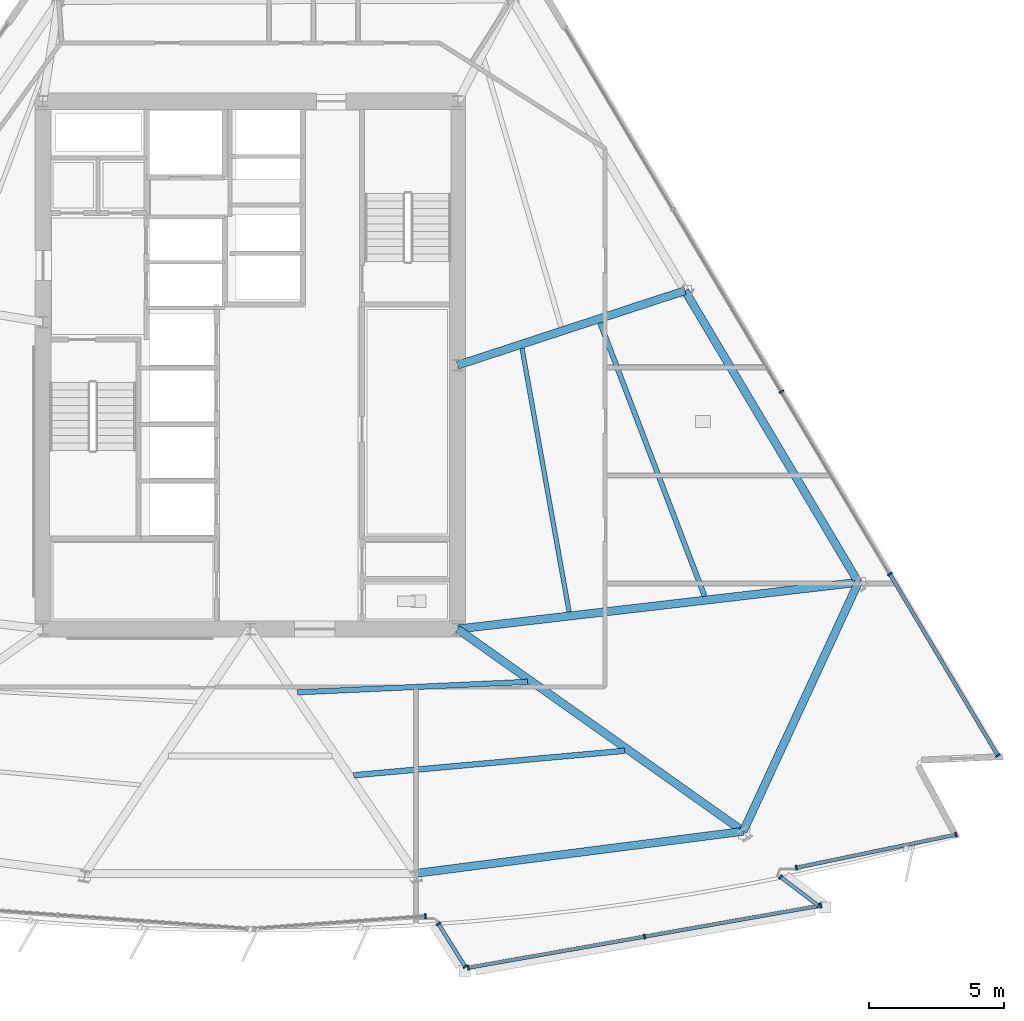
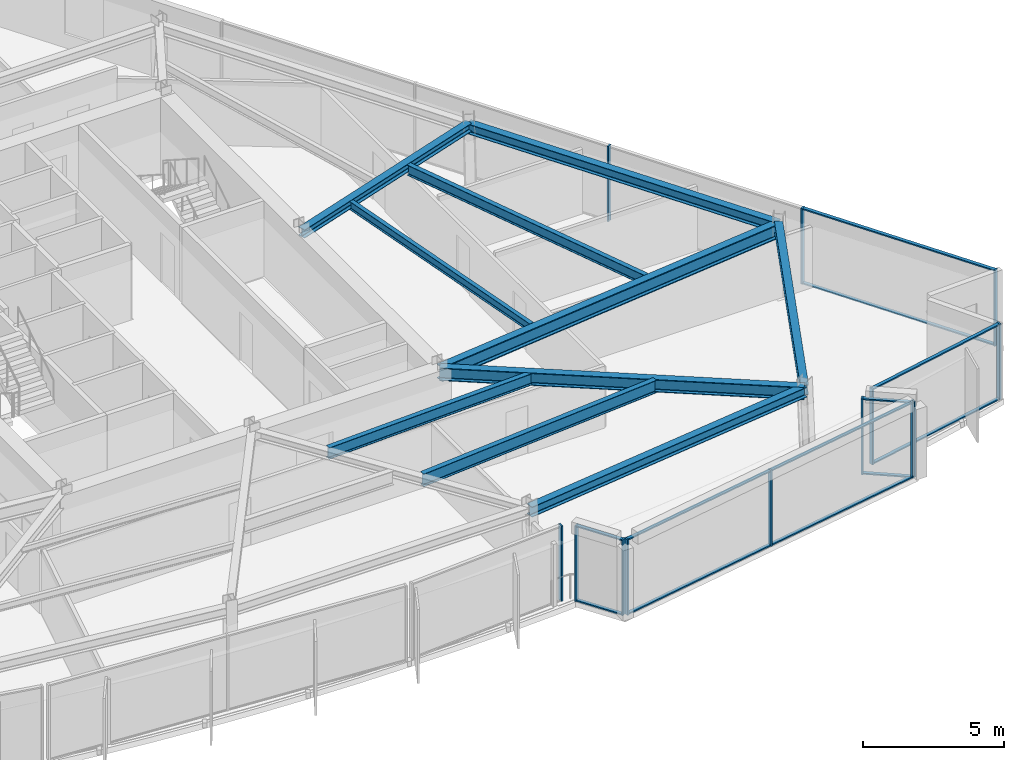
# One storey, part 4 of 15: 25 members, 10 beams, 6 elements without a shape of their own.
"""IFC4 building model written with IfcOpenShell, lengths in metres."""

from ifc_helpers import new_model, si_unit, direction, frame, origin, origin_2d, place, context, subcontext, project, spatial, rectangle, i_section, extrude, material, material_profile, profile_set, type_object, element, aggregate, save


model = new_model("IFC4")

# Units and contexts
model_context = context("Model", 3, precision=1e-05, world=origin(), true_north=direction((0.0, 1.0)))
body_context = subcontext(model_context, "Body", "Model", "MODEL_VIEW")
ifc_project = project(units=[si_unit("LENGTHUNIT", "METRE"), si_unit("AREAUNIT", "SQUARE_METRE"), si_unit("VOLUMEUNIT", "CUBIC_METRE"), si_unit("PLANEANGLEUNIT", "RADIAN"), si_unit("MASSUNIT", "GRAM", prefix="KILO")], contexts=[model_context])

# Site, building, storey
site_placement = place(None, origin())
site = spatial("IfcSite", under=ifc_project, at=site_placement, CompositionType="ELEMENT")
building_placement = place(site_placement, origin())
building = spatial("IfcBuilding", under=site, at=building_placement, Name="Savorim Split Tower", CompositionType="ELEMENT")
storey_placement = place(building_placement, frame((0.0, 0.0, 125.699951171875)))
storey = spatial("IfcBuildingStorey", under=building, at=storey_placement, Name="L33", CompositionType="ELEMENT", Elevation=125.699951171875)

# Beams
ifc_material_1 = material(Name="Steel S355", Category="steel")
ifc_material_profile_1 = material_profile(ifc_material_1, i_section(OverallWidth=0.169921875, OverallDepth=0.360107421875, WebThickness=0.008056640625, FlangeThickness=0.0126953125, FilletRadius=0.01806640625, at=origin_2d()), Name="IPE 360")
ifc_profile_set_1 = profile_set([ifc_material_profile_1], Name="Steel S355")
beam_type_1 = type_object("IfcBeamType", Name="BM-JST-IPE360", PredefinedType="JOIST", material=ifc_profile_set_1)
beam_1_placement = place(storey_placement, frame((11.838623046875, -8.7568359375, 3.10009765625), z_axis=(-0.175924261324, 0.984403704929, 0.0), x_axis=(-0.984403704929, -0.175924261324, 0.0)))
element("IfcBeam", 1, at=beam_1_placement, inside=storey, type_object=beam_type_1, Name="L33 Secondary Floor Joist JS-08", PredefinedType="JOIST", context=body_context, shape_type="SweptSolid", body=[
    extrude(i_section(OverallWidth=0.169921875, OverallDepth=0.360107421875, WebThickness=0.008056640625, FlangeThickness=0.0126953125, FilletRadius=0.01806640625, at=origin_2d()), origin(), (0.0, 0.0, 1.0), 9.927978515625),
])
ifc_material_profile_2 = material_profile(ifc_material_1, i_section(OverallWidth=0.18994140625, OverallDepth=0.449951171875, WebThickness=0.009521484375, FlangeThickness=0.0146484375, FilletRadius=0.02099609375, at=origin_2d()), Name="IPE 450")
ifc_profile_set_2 = profile_set([ifc_material_profile_2], Name="Steel S355")
beam_type_2 = type_object("IfcBeamType", Name="BM-JST-IPE450", PredefinedType="JOIST", material=ifc_profile_set_2)
beam_2_placement = place(storey_placement, frame((16.869384765625, -8.17529296875, 3.054931640625), z_axis=(-0.357237875497, 0.9340134369, 0.0), x_axis=(-0.9340134369, -0.357237875497, 0.0)))
element("IfcBeam", 2, at=beam_2_placement, inside=storey, type_object=beam_type_2, Name="L33 Secondary Floor Joist JS-06", PredefinedType="JOIST", context=body_context, shape_type="SweptSolid", body=[
    extrude(i_section(OverallWidth=0.18994140625, OverallDepth=0.449951171875, WebThickness=0.009521484375, FlangeThickness=0.0146484375, FilletRadius=0.02099609375, at=origin_2d()), origin(), (0.0, 0.0, 1.0), 10.85595703125),
])
ifc_material_profile_3 = material_profile(ifc_material_1, i_section(OverallWidth=0.199951171875, OverallDepth=0.5, WebThickness=0.01025390625, FlangeThickness=0.01611328125, FilletRadius=0.02099609375, at=origin_2d()), Name="IPE 500")
ifc_profile_set_3 = profile_set([ifc_material_profile_3], Name="Steel S355")
beam_type_3 = type_object("IfcBeamType", Name="BM-JST-IPE500", PredefinedType="JOIST", material=ifc_profile_set_3)
beam_3_placement = place(storey_placement, frame((1.7548828125, -11.752197265625, 3.030029296875), z_axis=(0.99895098371, 0.045792271666, 0.0), x_axis=(-0.045792271666, 0.99895098371, 0.0)))
element("IfcBeam", 3, at=beam_3_placement, inside=storey, type_object=beam_type_3, Name="L33 Secondary Floor Joist JS-05", PredefinedType="JOIST", context=body_context, shape_type="SweptSolid", body=[
    extrude(i_section(OverallWidth=0.199951171875, OverallDepth=0.5, WebThickness=0.01025390625, FlangeThickness=0.01611328125, FilletRadius=0.02099609375, at=origin_2d()), origin(), (0.0, 0.0, 1.0), 8.5517578125),
])
ifc_material_profile_4 = material_profile(ifc_material_1, i_section(OverallWidth=0.2099609375, OverallDepth=0.550048828125, WebThickness=0.010986328125, FlangeThickness=0.01708984375, FilletRadius=0.02392578125, at=origin_2d()), Name="IPE 550")
ifc_profile_set_4 = profile_set([ifc_material_profile_4], Name="Steel S355")
beam_type_4 = type_object("IfcBeamType", Name="BM-JST-IPE550", PredefinedType="JOIST", material=ifc_profile_set_4)
beam_4_placement = place(storey_placement, frame((3.84033203125, -14.830810546875, 3.005126953125), z_axis=(0.995947884049, 0.08993226484, 0.0), x_axis=(-0.08993226484, 0.995947884049, 0.0)))
element("IfcBeam", 4, at=beam_4_placement, inside=storey, type_object=beam_type_4, Name="L33 Secondary Floor Joist JS-04", PredefinedType="JOIST", context=body_context, shape_type="SweptSolid", body=[
    extrude(i_section(OverallWidth=0.2099609375, OverallDepth=0.550048828125, WebThickness=0.010986328125, FlangeThickness=0.01708984375, FilletRadius=0.02392578125, at=origin_2d()), origin(), (0.0, 0.0, 1.0), 10.104248046875),
])
ifc_material_profile_5 = material_profile(ifc_material_1, i_section(OverallWidth=0.300048828125, OverallDepth=0.360107421875, WebThickness=0.012451171875, FlangeThickness=0.0224609375, FilletRadius=0.027099609375, at=origin_2d()), Name="HEB 360")
ifc_profile_set_5 = profile_set([ifc_material_profile_5], Name="Steel S355")
beam_type_5 = type_object("IfcBeamType", Name="BM-PRI-HEB360", PredefinedType="BEAM", material=ifc_profile_set_5)
beam_5_placement = place(storey_placement, frame((16.14208984375, 3.1640625, 3.10009765625), z_axis=(-0.950354577647, -0.311169048501, 0.0), x_axis=(0.311169048501, -0.950354577647, 0.0)))
element("IfcBeam", 5, at=beam_5_placement, inside=storey, type_object=beam_type_5, Name="L33 Primary Floor Girder RG-06", PredefinedType="BEAM", context=body_context, shape_type="SweptSolid", body=[
    extrude(i_section(OverallWidth=0.300048828125, OverallDepth=0.360107421875, WebThickness=0.012451171875, FlangeThickness=0.0224609375, FilletRadius=0.027099609375, at=origin_2d()), origin(), (0.0, 0.0, 1.0), 8.883056640625),
])
ifc_material_profile_6 = material_profile(ifc_material_1, i_section(OverallWidth=0.300048828125, OverallDepth=0.550048828125, WebThickness=0.014892578125, FlangeThickness=0.029052734375, FilletRadius=0.027099609375, at=origin_2d()), Name="HEB 550")
ifc_profile_set_6 = profile_set([ifc_material_profile_6], Name="Steel S355")
beam_type_6 = type_object("IfcBeamType", Name="BM-PRI-HEB550", PredefinedType="BEAM", material=ifc_profile_set_6)
beam_6_placement = place(storey_placement, frame((18.304931640625, -16.91259765625, 3.005126953125), z_axis=(-0.815994206393, 0.578060079173, 0.0), x_axis=(-0.578060079173, -0.815994206393, 0.0)))
element("IfcBeam", 6, at=beam_6_placement, inside=storey, type_object=beam_type_6, Name="L33 Primary Floor Girder RG-04", PredefinedType="BEAM", context=body_context, shape_type="SweptSolid", body=[
    extrude(i_section(OverallWidth=0.300048828125, OverallDepth=0.550048828125, WebThickness=0.014892578125, FlangeThickness=0.029052734375, FilletRadius=0.027099609375, at=origin_2d()), origin(), (0.0, 0.0, 1.0), 12.996337890625),
])
ifc_material_2 = material(Name="Steel S460", Category="steel")
ifc_material_profile_7 = material_profile(ifc_material_2, i_section(OverallWidth=0.304931640625, OverallDepth=0.6201171875, WebThickness=0.02099609375, FlangeThickness=0.0400390625, FilletRadius=0.027099609375, at=origin_2d()), Name="HE 600 M")
ifc_profile_set_7 = profile_set([ifc_material_profile_7], Name="Steel S460")
beam_type_7 = type_object("IfcBeamType", Name="BM-PRI-HEM600", PredefinedType="BEAM", material=ifc_profile_set_7)
beam_7_placement = place(storey_placement, frame((22.581787109375, -7.665771484375, 2.969970703125), z_axis=(-0.993279134367, -0.115743514854, 0.0), x_axis=(0.115743514854, -0.993279134367, 0.0)))
element("IfcBeam", 7, at=beam_7_placement, inside=storey, type_object=beam_type_7, Name="L33 Primary Floor Girder RG-05", PredefinedType="BEAM", context=body_context, shape_type="SweptSolid", body=[
    extrude(i_section(OverallWidth=0.304931640625, OverallDepth=0.6201171875, WebThickness=0.02099609375, FlangeThickness=0.0400390625, FilletRadius=0.027099609375, at=origin_2d()), origin(), (0.0, 0.0, 1.0), 14.982421875),
])
ifc_material_profile_8 = material_profile(ifc_material_1, i_section(OverallWidth=0.300048828125, OverallDepth=0.43994140625, WebThickness=0.011474609375, FlangeThickness=0.02099609375, FilletRadius=0.027099609375, at=origin_2d()), Name="HEA 450")
ifc_profile_set_8 = profile_set([ifc_material_profile_8], Name="Steel S355")
beam_type_8 = type_object("IfcBeamType", Name="BM-SPN-HEA450", PredefinedType="SPANDREL", material=ifc_profile_set_8)
beam_8_placement = place(storey_placement, frame((6.135009765625, -18.47509765625, 3.06005859375), z_axis=(0.991858481482, 0.127345014474, 0.0), x_axis=(-0.127345014474, 0.991858481482, 0.0)))
element("IfcBeam", 8, at=beam_8_placement, inside=storey, type_object=beam_type_8, Name="L33 Perimeter Spandrel Beam 3", PredefinedType="SPANDREL", context=body_context, shape_type="SweptSolid", body=[
    extrude(i_section(OverallWidth=0.300048828125, OverallDepth=0.43994140625, WebThickness=0.011474609375, FlangeThickness=0.02099609375, FilletRadius=0.027099609375, at=origin_2d()), origin(), (0.0, 0.0, 1.0), 12.269775390625),
])
beam_9_placement = place(storey_placement, frame((18.304931640625, -16.91259765625, 3.06005859375), z_axis=(0.419793545744, 0.907619622392, 0.0), x_axis=(-0.907619622392, 0.419793545744, 0.0)))
element("IfcBeam", 9, at=beam_9_placement, inside=storey, type_object=beam_type_8, Name="L33 Perimeter Spandrel Beam 4", PredefinedType="SPANDREL", context=body_context, shape_type="SweptSolid", body=[
    extrude(i_section(OverallWidth=0.300048828125, OverallDepth=0.43994140625, WebThickness=0.011474609375, FlangeThickness=0.02099609375, FilletRadius=0.027099609375, at=origin_2d()), origin(), (0.0, 0.0, 1.0), 10.18798828125),
])
beam_10_placement = place(storey_placement, frame((22.581787109375, -7.665771484375, 3.06005859375), z_axis=(-0.51109512482, 0.859524155207, 0.0), x_axis=(-0.859524155207, -0.51109512482, 0.0)))
element("IfcBeam", 10, at=beam_10_placement, inside=storey, type_object=beam_type_8, Name="L33 Perimeter Spandrel Beam 5", PredefinedType="SPANDREL", context=body_context, shape_type="SweptSolid", body=[
    extrude(i_section(OverallWidth=0.300048828125, OverallDepth=0.43994140625, WebThickness=0.011474609375, FlangeThickness=0.02099609375, FilletRadius=0.027099609375, at=origin_2d()), origin(), (0.0, 0.0, 1.0), 12.599853515625),
])

# Curtain wall, member
ifc_material_3 = material(Name="Dark Ceramic-Fritted Insulated Glass", Category="glass")
curtain_wall_type_1 = type_object("IfcCurtainWallType", Name="CW-TWR-FRIT-A", PredefinedType="NOTDEFINED", material=ifc_material_3)
curtain_wall_1_placement = place(storey_placement, origin())
curtain_wall_1 = element("IfcCurtainWall", 11, at=curtain_wall_1_placement, inside=storey, type_object=curtain_wall_type_1, Name="L33 Curtain Wall CW-L33-SF3A", PredefinedType="NOTDEFINED")
ifc_material_4 = material(Name="Charcoal Anodised Aluminium", Category="aluminium")
ifc_material_profile_9 = material_profile(ifc_material_4, rectangle(XDim=0.179931640625, YDim=0.06494140625, at=origin_2d()), Name="ALU-M 180x65")
ifc_profile_set_9 = profile_set([ifc_material_profile_9], Name="Charcoal Anodised Aluminium")
member_type_1 = type_object("IfcMemberType", Name="CWM-180x65", PredefinedType="MULLION", material=ifc_profile_set_9)
member_1_placement = place(storey_placement, frame((6.505126953125, -20.064208984375, 0.0), z_axis=(0.0, 0.0, 1.0), x_axis=(-0.071562632816, 0.997436108021, 0.0)))
member_1 = element("IfcMember", 12, at=member_1_placement, type_object=member_type_1, Name="CW-02 mullion 2", PredefinedType="MULLION", context=body_context, shape_type="SweptSolid", body=[
    extrude(rectangle(XDim=0.179931640625, YDim=0.06494140625, at=origin_2d()), origin(), (0.0, 0.0, 1.0), 3.280029296875),
])
aggregate(curtain_wall_1, [member_1])

# Curtain wall, members
curtain_wall_2_placement = place(storey_placement, origin())
curtain_wall_2 = element("IfcCurtainWall", 13, at=curtain_wall_2_placement, inside=storey, type_object=curtain_wall_type_1, Name="L33 Curtain Wall CW-L33-SF4A", PredefinedType="NOTDEFINED")
member_2_placement = place(storey_placement, frame((20.2783203125, -18.263427734375, 0.0), z_axis=(0.0, 0.0, 1.0), x_axis=(-0.203210243687, 0.979135126967, 0.0)))
member_2 = element("IfcMember", 14, at=member_2_placement, type_object=member_type_1, Name="CW-02 mullion 1", PredefinedType="MULLION", context=body_context, shape_type="SweptSolid", body=[
    extrude(rectangle(XDim=0.179931640625, YDim=0.06494140625, at=origin_2d()), origin(), (0.0, 0.0, 1.0), 3.280029296875),
])
member_3_placement = place(storey_placement, frame((26.201171875, -17.0341796875, 0.0), z_axis=(0.0, 0.0, 1.0), x_axis=(-0.203210243687, 0.979135126967, 0.0)))
member_3 = element("IfcMember", 15, at=member_3_placement, type_object=member_type_1, Name="CW-02 mullion 2", PredefinedType="MULLION", context=body_context, shape_type="SweptSolid", body=[
    extrude(rectangle(XDim=0.179931640625, YDim=0.06494140625, at=origin_2d()), origin(), (0.0, 0.0, 1.0), 3.280029296875),
])

curtain_wall_type_2 = type_object("IfcCurtainWallType", Name="CW-BAY-LOUNGE", PredefinedType="NOTDEFINED", material=ifc_material_3)
curtain_wall_3_placement = place(storey_placement, origin())
curtain_wall_3 = element("IfcCurtainWall", 16, at=curtain_wall_3_placement, inside=storey, type_object=curtain_wall_type_2, Name="L33 Curtain Wall CW-L33-BAYF", PredefinedType="NOTDEFINED")
member_4_placement = place(storey_placement, frame((8.099853515625, -21.974609375, 0.0), z_axis=(0.0, 0.0, 1.0), x_axis=(-0.173703290368, 0.984798033566, 0.0)))
member_4 = element("IfcMember", 17, at=member_4_placement, type_object=member_type_1, Name="CW-04 mullion 1", PredefinedType="MULLION", context=body_context, shape_type="SweptSolid", body=[
    extrude(rectangle(XDim=0.179931640625, YDim=0.06494140625, at=origin_2d()), origin(), (0.0, 0.0, 1.0), 3.280029296875),
])
member_5_placement = place(storey_placement, frame((14.6416015625, -20.82080078125, 0.0), z_axis=(0.0, 0.0, 1.0), x_axis=(-0.173703290368, 0.984798033566, 0.0)))
member_5 = element("IfcMember", 18, at=member_5_placement, type_object=member_type_1, Name="CW-04 mullion 2", PredefinedType="MULLION", context=body_context, shape_type="SweptSolid", body=[
    extrude(rectangle(XDim=0.179931640625, YDim=0.06494140625, at=origin_2d()), origin(), (0.0, 0.0, 1.0), 3.280029296875),
])
member_6_placement = place(storey_placement, frame((21.18310546875, -19.666748046875, 0.0), z_axis=(0.0, 0.0, 1.0), x_axis=(-0.173703290368, 0.984798033566, 0.0)))
member_6 = element("IfcMember", 19, at=member_6_placement, type_object=member_type_1, Name="CW-04 mullion 3", PredefinedType="MULLION", context=body_context, shape_type="SweptSolid", body=[
    extrude(rectangle(XDim=0.179931640625, YDim=0.06494140625, at=origin_2d()), origin(), (0.0, 0.0, 1.0), 3.280029296875),
])

curtain_wall_4_placement = place(storey_placement, origin())
curtain_wall_4 = element("IfcCurtainWall", 20, at=curtain_wall_4_placement, inside=storey, type_object=curtain_wall_type_2, Name="L33 Curtain Wall CW-L33-BAYW", PredefinedType="NOTDEFINED")
member_7_placement = place(storey_placement, frame((6.98486328125, -20.345703125, 0.0), z_axis=(0.0, 0.0, 1.0), x_axis=(0.847099384387, 0.531434504875, 0.0)))
member_7 = element("IfcMember", 21, at=member_7_placement, type_object=member_type_1, Name="CW-04 mullion 1", PredefinedType="MULLION", context=body_context, shape_type="SweptSolid", body=[
    extrude(rectangle(XDim=0.179931640625, YDim=0.06494140625, at=origin_2d()), origin(), (0.0, 0.0, 1.0), 3.280029296875),
])
member_8_placement = place(storey_placement, frame((7.9814453125, -21.93408203125, 0.0), z_axis=(0.0, 0.0, 1.0), x_axis=(0.847099384387, 0.531434504875, 0.0)))
member_8 = element("IfcMember", 22, at=member_8_placement, type_object=member_type_1, Name="CW-04 mullion 2", PredefinedType="MULLION", context=body_context, shape_type="SweptSolid", body=[
    extrude(rectangle(XDim=0.179931640625, YDim=0.06494140625, at=origin_2d()), origin(), (0.0, 0.0, 1.0), 3.280029296875),
])

curtain_wall_5_placement = place(storey_placement, origin())
curtain_wall_5 = element("IfcCurtainWall", 23, at=curtain_wall_5_placement, inside=storey, type_object=curtain_wall_type_2, Name="L33 Curtain Wall CW-L33-BAYE", PredefinedType="NOTDEFINED")
member_9_placement = place(storey_placement, frame((21.10107421875, -19.675048828125, 0.0), z_axis=(0.0, 0.0, 1.0), x_axis=(-0.603725473499, -0.797192293395, 0.0)))
member_9 = element("IfcMember", 24, at=member_9_placement, type_object=member_type_1, Name="CW-04 mullion 1", PredefinedType="MULLION", context=body_context, shape_type="SweptSolid", body=[
    extrude(rectangle(XDim=0.179931640625, YDim=0.06494140625, at=origin_2d()), origin(), (0.0, 0.0, 1.0), 3.280029296875),
])
member_10_placement = place(storey_placement, frame((19.68994140625, -18.6064453125, 0.0), z_axis=(0.0, 0.0, 1.0), x_axis=(-0.603725473499, -0.797192293395, 0.0)))
member_10 = element("IfcMember", 25, at=member_10_placement, type_object=member_type_1, Name="CW-04 mullion 2", PredefinedType="MULLION", context=body_context, shape_type="SweptSolid", body=[
    extrude(rectangle(XDim=0.179931640625, YDim=0.06494140625, at=origin_2d()), origin(), (0.0, 0.0, 1.0), 3.280029296875),
])

curtain_wall_6_placement = place(storey_placement, origin())
curtain_wall_6 = element("IfcCurtainWall", 26, at=curtain_wall_6_placement, inside=storey, type_object=curtain_wall_type_1, Name="L33 Curtain Wall CW-L33-EAST", PredefinedType="NOTDEFINED")
member_11_placement = place(storey_placement, frame((27.75634765625, -14.09765625, 0.0), z_axis=(0.0, 0.0, 1.0), x_axis=(-0.859525409745, -0.51109301502, 0.0)))
member_11 = element("IfcMember", 27, at=member_11_placement, type_object=member_type_1, Name="CW-02 mullion 1", PredefinedType="MULLION", context=body_context, shape_type="SweptSolid", body=[
    extrude(rectangle(XDim=0.179931640625, YDim=0.06494140625, at=origin_2d()), origin(), (0.0, 0.0, 1.0), 3.280029296875),
])
member_12_placement = place(storey_placement, frame((23.748046875, -7.356689453125, 0.0), z_axis=(0.0, 0.0, 1.0), x_axis=(-0.859525409745, -0.51109301502, 0.0)))
member_12 = element("IfcMember", 28, at=member_12_placement, type_object=member_type_1, Name="CW-02 mullion 2", PredefinedType="MULLION", context=body_context, shape_type="SweptSolid", body=[
    extrude(rectangle(XDim=0.179931640625, YDim=0.06494140625, at=origin_2d()), origin(), (0.0, 0.0, 1.0), 3.280029296875),
])
member_13_placement = place(storey_placement, frame((19.72314453125, -0.587890625, 0.0), z_axis=(0.0, 0.0, 1.0), x_axis=(-0.859525409745, -0.51109301502, 0.0)))
member_13 = element("IfcMember", 29, at=member_13_placement, type_object=member_type_1, Name="CW-02 mullion 3", PredefinedType="MULLION", context=body_context, shape_type="SweptSolid", body=[
    extrude(rectangle(XDim=0.179931640625, YDim=0.06494140625, at=origin_2d()), origin(), (0.0, 0.0, 1.0), 3.280029296875),
])

# Member
ifc_material_profile_10 = material_profile(ifc_material_4, rectangle(XDim=0.139892578125, YDim=0.054931640625, at=origin_2d()), Name="ALU-T 140x55")
ifc_profile_set_10 = profile_set([ifc_material_profile_10], Name="Charcoal Anodised Aluminium")
member_type_2 = type_object("IfcMemberType", Name="CWT-140x55", PredefinedType="USERDEFINED", material=ifc_profile_set_10)
member_14_placement = place(storey_placement, frame((20.310302734375, -18.2568359375, 0.027587890625), z_axis=(0.979131539762, 0.203227527275, 0.0), x_axis=(-0.203227527275, 0.979131539762, 0.0)))
member_14 = element("IfcMember", 30, at=member_14_placement, type_object=member_type_2, Name="CW-02 transom 1.1", ObjectType="TRANSOM", PredefinedType="USERDEFINED", context=body_context, shape_type="SweptSolid", body=[
    extrude(rectangle(XDim=0.139892578125, YDim=0.054931640625, at=origin_2d()), origin(), (0.0, 0.0, 1.0), 5.983642578125),
])

member_15_placement = place(storey_placement, frame((20.310302734375, -18.2568359375, 3.25244140625), z_axis=(0.979131539762, 0.203227527275, 0.0), x_axis=(-0.203227527275, 0.979131539762, 0.0)))
member_15 = element("IfcMember", 31, at=member_15_placement, type_object=member_type_2, Name="CW-02 transom 1.2", ObjectType="TRANSOM", PredefinedType="USERDEFINED", context=body_context, shape_type="SweptSolid", body=[
    extrude(rectangle(XDim=0.139892578125, YDim=0.054931640625, at=origin_2d()), origin(), (0.0, 0.0, 1.0), 5.983642578125),
])

aggregate(curtain_wall_2, [member_2, member_3, member_14, member_15])

member_16_placement = place(storey_placement, frame((8.1318359375, -21.968994140625, 0.027587890625), z_axis=(0.984797007786, 0.173709105851, 0.0), x_axis=(-0.173709105851, 0.984797007786, 0.0)))
member_16 = element("IfcMember", 32, at=member_16_placement, type_object=member_type_2, Name="CW-04 transom 1.1", ObjectType="TRANSOM", PredefinedType="USERDEFINED", context=body_context, shape_type="SweptSolid", body=[
    extrude(rectangle(XDim=0.139892578125, YDim=0.054931640625, at=origin_2d()), origin(), (0.0, 0.0, 1.0), 6.57763671875),
])

member_17_placement = place(storey_placement, frame((8.1318359375, -21.968994140625, 3.25244140625), z_axis=(0.984797007786, 0.173709105851, 0.0), x_axis=(-0.173709105851, 0.984797007786, 0.0)))
member_17 = element("IfcMember", 33, at=member_17_placement, type_object=member_type_2, Name="CW-04 transom 1.2", ObjectType="TRANSOM", PredefinedType="USERDEFINED", context=body_context, shape_type="SweptSolid", body=[
    extrude(rectangle(XDim=0.139892578125, YDim=0.054931640625, at=origin_2d()), origin(), (0.0, 0.0, 1.0), 6.57763671875),
])

member_18_placement = place(storey_placement, frame((14.673583984375, -20.81494140625, 0.027587890625), z_axis=(0.984803356764, 0.173673108183, 0.0), x_axis=(-0.173673108183, 0.984803356764, 0.0)))
member_18 = element("IfcMember", 34, at=member_18_placement, type_object=member_type_2, Name="CW-04 transom 2.1", ObjectType="TRANSOM", PredefinedType="USERDEFINED", context=body_context, shape_type="SweptSolid", body=[
    extrude(rectangle(XDim=0.139892578125, YDim=0.054931640625, at=origin_2d()), origin(), (0.0, 0.0, 1.0), 6.577392578125),
])

member_19_placement = place(storey_placement, frame((14.673583984375, -20.81494140625, 3.25244140625), z_axis=(0.984803356764, 0.173673108183, 0.0), x_axis=(-0.173673108183, 0.984803356764, 0.0)))
member_19 = element("IfcMember", 35, at=member_19_placement, type_object=member_type_2, Name="CW-04 transom 2.2", ObjectType="TRANSOM", PredefinedType="USERDEFINED", context=body_context, shape_type="SweptSolid", body=[
    extrude(rectangle(XDim=0.139892578125, YDim=0.054931640625, at=origin_2d()), origin(), (0.0, 0.0, 1.0), 6.577392578125),
])

aggregate(curtain_wall_3, [member_4, member_5, member_6, member_16, member_17, member_18, member_19])

member_20_placement = place(storey_placement, frame((7.002197265625, -20.373291015625, 0.027587890625), z_axis=(0.531453116238, -0.847087708116, 0.0), x_axis=(0.847087708116, 0.531453116238, 0.0)))
member_20 = element("IfcMember", 36, at=member_20_placement, type_object=member_type_2, Name="CW-04 transom 1.1", ObjectType="TRANSOM", PredefinedType="USERDEFINED", context=body_context, shape_type="SweptSolid", body=[
    extrude(rectangle(XDim=0.139892578125, YDim=0.054931640625, at=origin_2d()), origin(), (0.0, 0.0, 1.0), 1.81005859375),
])

member_21_placement = place(storey_placement, frame((7.002197265625, -20.373291015625, 3.25244140625), z_axis=(0.531453116238, -0.847087708116, 0.0), x_axis=(0.847087708116, 0.531453116238, 0.0)))
member_21 = element("IfcMember", 37, at=member_21_placement, type_object=member_type_2, Name="CW-04 transom 1.2", ObjectType="TRANSOM", PredefinedType="USERDEFINED", context=body_context, shape_type="SweptSolid", body=[
    extrude(rectangle(XDim=0.139892578125, YDim=0.054931640625, at=origin_2d()), origin(), (0.0, 0.0, 1.0), 1.81005859375),
])

aggregate(curtain_wall_4, [member_7, member_8, member_20, member_21])

member_22_placement = place(storey_placement, frame((21.0751953125, -19.655517578125, 0.027587890625), z_axis=(-0.797242490567, 0.603659184668, 0.0), x_axis=(-0.603659184668, -0.797242490567, 0.0)))
member_22 = element("IfcMember", 38, at=member_22_placement, type_object=member_type_2, Name="CW-04 transom 1.1", ObjectType="TRANSOM", PredefinedType="USERDEFINED", context=body_context, shape_type="SweptSolid", body=[
    extrude(rectangle(XDim=0.139892578125, YDim=0.054931640625, at=origin_2d()), origin(), (0.0, 0.0, 1.0), 1.705078125),
])

member_23_placement = place(storey_placement, frame((21.0751953125, -19.655517578125, 3.25244140625), z_axis=(-0.797242490567, 0.603659184668, 0.0), x_axis=(-0.603659184668, -0.797242490567, 0.0)))
member_23 = element("IfcMember", 39, at=member_23_placement, type_object=member_type_2, Name="CW-04 transom 1.2", ObjectType="TRANSOM", PredefinedType="USERDEFINED", context=body_context, shape_type="SweptSolid", body=[
    extrude(rectangle(XDim=0.139892578125, YDim=0.054931640625, at=origin_2d()), origin(), (0.0, 0.0, 1.0), 1.705078125),
])

aggregate(curtain_wall_5, [member_9, member_10, member_22, member_23])

member_24_placement = place(storey_placement, frame((27.73974609375, -14.069580078125, 0.027587890625), z_axis=(-0.511107986277, 0.859516507325, 0.0), x_axis=(-0.859516507325, -0.511107986277, 0.0)))
member_24 = element("IfcMember", 40, at=member_24_placement, type_object=member_type_2, Name="CW-02 transom 1.1", ObjectType="TRANSOM", PredefinedType="USERDEFINED", context=body_context, shape_type="SweptSolid", body=[
    extrude(rectangle(XDim=0.139892578125, YDim=0.054931640625, at=origin_2d()), origin(), (0.0, 0.0, 1.0), 7.77734375),
])

member_25_placement = place(storey_placement, frame((27.73974609375, -14.069580078125, 3.25244140625), z_axis=(-0.511107986277, 0.859516507325, 0.0), x_axis=(-0.859516507325, -0.511107986277, 0.0)))
member_25 = element("IfcMember", 41, at=member_25_placement, type_object=member_type_2, Name="CW-02 transom 1.2", ObjectType="TRANSOM", PredefinedType="USERDEFINED", context=body_context, shape_type="SweptSolid", body=[
    extrude(rectangle(XDim=0.139892578125, YDim=0.054931640625, at=origin_2d()), origin(), (0.0, 0.0, 1.0), 7.77734375),
])

aggregate(curtain_wall_6, [member_11, member_12, member_13, member_24, member_25])

save(model, "model.ifc")
